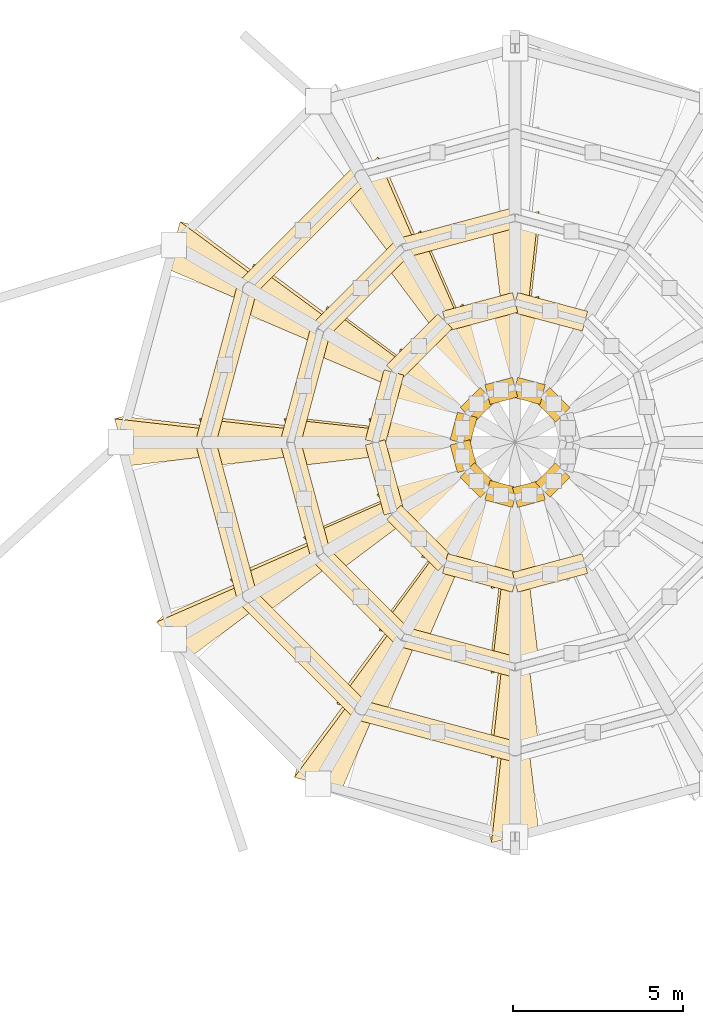
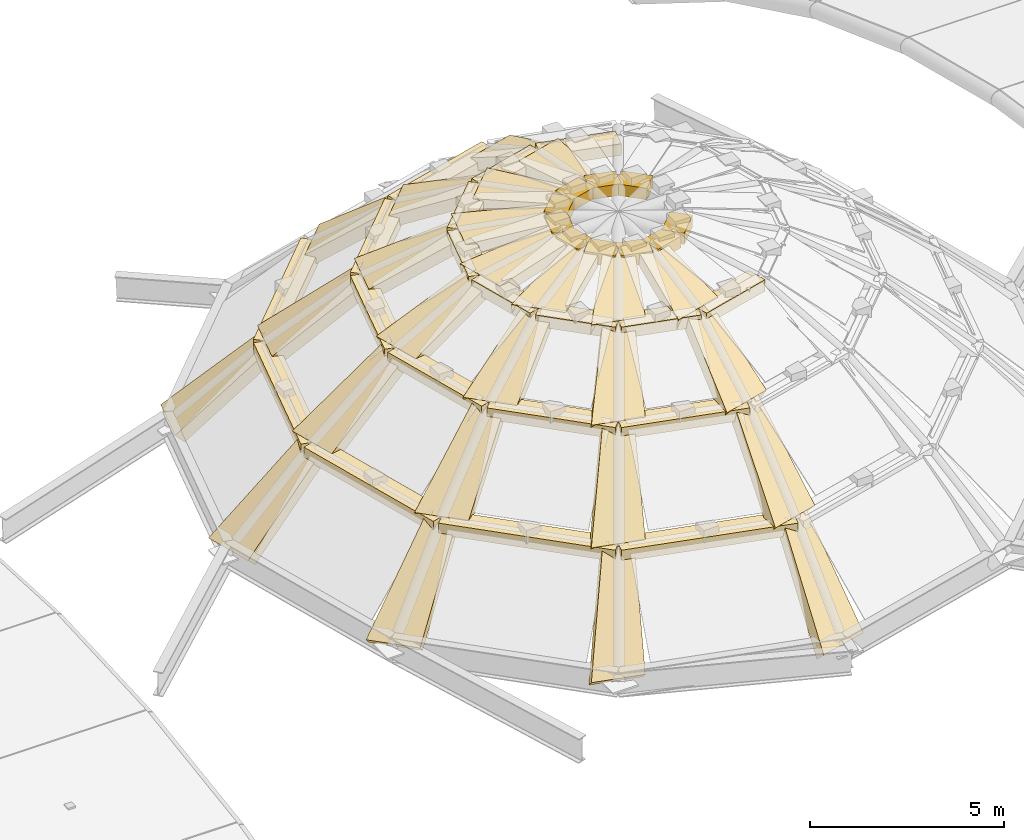
# One storey, part 20 of 21: 54 coverings.
"""IFC4 building model written with IfcOpenShell, lengths in metres."""

from ifc_helpers import new_model, si_unit, direction, frame, origin, place, context, subcontext, project, spatial, polyline, outline, extrude, material, layer, layer_set, type_object, element, save


model = new_model("IFC4")

# Units and contexts
model_context = context("Model", 3, precision=1e-05, world=origin(), true_north=direction((0.0, 1.0)))
body_context = subcontext(model_context, "Body", "Model", "MODEL_VIEW")
ifc_project = project(units=[si_unit("LENGTHUNIT", "METRE"), si_unit("AREAUNIT", "SQUARE_METRE"), si_unit("VOLUMEUNIT", "CUBIC_METRE"), si_unit("PLANEANGLEUNIT", "RADIAN"), si_unit("MASSUNIT", "GRAM", prefix="KILO")], contexts=[model_context])

# Site, building, storey
site_placement = place(None, origin())
site = spatial("IfcSite", under=ifc_project, at=site_placement, CompositionType="ELEMENT")
building_placement = place(site_placement, origin())
building = spatial("IfcBuilding", under=site, at=building_placement, Name="Solmirada Galleria", CompositionType="ELEMENT")
storey_placement = place(building_placement, frame((0.0, 0.0, 37.5)))
storey = spatial("IfcBuildingStorey", under=building, at=storey_placement, Name="RF", CompositionType="ELEMENT", Elevation=37.5)

# Coverings
ifc_material = material(Name="Anodized architectural aluminium", Category="aluminium")
ifc_layer = layer(ifc_material, 0.360107421875)
ifc_layer_set = layer_set([ifc_layer], Name="Anodized architectural aluminium")
covering_type = type_object("IfcCoveringType", Name="COV-ALUM-CAP", PredefinedType="CLADDING", material=ifc_layer_set)
covering_1_placement = place(storey_placement, frame((91.23486328125, 68.09814453125, 2.607421875), z_axis=(0.0, 0.0, 1.0), x_axis=(0.707106781187, -0.707106781187, 0.0)))
element("IfcCovering", 1, at=covering_1_placement, inside=storey, type_object=covering_type, Name="Atrium dome ring aluminium cap batten 5.1", PredefinedType="CLADDING", context=body_context, shape_type="SweptSolid", body=[
    extrude(outline(polyline([(0.0, 0.0), (0.600074016456162, 0.0), (0.600074016456162, -4.713584851932982), (0.0, -4.713584851932982), (0.0, 0.0)])), origin(), (0.0, 0.0, -1.0), 0.360107421875),
])
covering_2_placement = place(storey_placement, frame((86.140380859375, 66.49560546875, 0.1201171875), z_axis=(-0.69383196776, 0.185878060971, 0.695734537711), x_axis=(-0.258813754246, -0.965927243081, -4.1069414e-05)))
element("IfcCovering", 2, at=covering_2_placement, inside=storey, type_object=covering_type, Name="Atrium dome radial aluminium cap batten 6.1", PredefinedType="CLADDING", context=body_context, shape_type="SweptSolid", body=[
    extrude(outline(polyline([(0.0, 0.0), (1.4402006918481844, 0.0), (1.785585319171454, 3.462872738771062), (0.9454763354603316, 3.4627423599438307), (0.0, 0.0)])), origin(), (0.0, 0.0, -1.0), 0.360107421875),
])
covering_3_placement = place(storey_placement, frame((87.82421875, 64.630615234375, 2.607421875), z_axis=(0.0, 0.0, 1.0), x_axis=(0.965937155273, -0.258776761059, 0.0)))
element("IfcCovering", 3, at=covering_3_placement, inside=storey, type_object=covering_type, Name="Atrium dome ring aluminium cap batten 6.1", PredefinedType="CLADDING", context=body_context, shape_type="SweptSolid", body=[
    extrude(outline(polyline([(0.0, 0.0), (0.6000285221314199, 0.0), (0.599818525082267, -4.713591182540906), (-0.00020999704915292128, -4.713591182540906), (0.0, 0.0)])), origin(), (0.0, 0.0, -1.0), 0.360107421875),
])
covering_4_placement = place(storey_placement, frame((84.213623046875, 60.695556640625, 0.1201171875), z_axis=(-0.693846324666, -0.185881907195, 0.69571919215), x_axis=(0.258813752551, -0.965927243535, 4.1069357e-05)))
element("IfcCovering", 4, at=covering_4_placement, inside=storey, type_object=covering_type, Name="Atrium dome radial aluminium cap batten 7.1", PredefinedType="CLADDING", context=body_context, shape_type="SweptSolid", body=[
    extrude(outline(polyline([(0.0, 0.0), (1.4402006918480803, 0.0), (1.7857432908559425, 3.4625968961496447), (0.9456343071445519, 3.4627272721011586), (0.0, 0.0)])), origin(), (0.0, 0.0, -1.0), 0.360107421875),
])
covering_5_placement = place(storey_placement, frame((86.604248046875, 59.92236328125, 2.607421875), z_axis=(0.0, 0.0, 1.0), x_axis=(0.965937155273, 0.258776761059, 0.0)))
element("IfcCovering", 5, at=covering_5_placement, inside=storey, type_object=covering_type, Name="Atrium dome ring aluminium cap batten 7.1", PredefinedType="CLADDING", context=body_context, shape_type="SweptSolid", body=[
    extrude(outline(polyline([(0.0, 0.0), (0.6000285221314199, 0.0), (0.6002385191805728, -4.713591182540906), (0.00020999704915292128, -4.713591182540906), (0.0, 0.0)])), origin(), (0.0, 0.0, -1.0), 0.360107421875),
])
covering_6_placement = place(storey_placement, frame((85.445068359375, 54.708984375, 0.1201171875), z_axis=(-0.507938727928, -0.507938727928, 0.695698567874), x_axis=(0.707106781187, -0.707106781187, 0.0)))
element("IfcCovering", 6, at=covering_6_placement, inside=storey, type_object=covering_type, Name="Atrium dome radial aluminium cap batten 8.1", PredefinedType="CLADDING", context=body_context, shape_type="SweptSolid", body=[
    extrude(outline(polyline([(0.0, 0.0), (1.4397633191151873, 0.0), (1.7853755690994324, 3.4626027012821696), (0.9453409994574059, 3.4626027012821696), (0.0, 0.0)])), origin(), (0.0, 0.0, -1.0), 0.360107421875),
])
covering_7_placement = place(storey_placement, frame((87.90185546875, 55.23486328125, 2.607421875), z_axis=(0.0, 0.0, 1.0), x_axis=(0.707106781187, 0.707106781187, 0.0)))
element("IfcCovering", 7, at=covering_7_placement, inside=storey, type_object=covering_type, Name="Atrium dome ring aluminium cap batten 8.1", PredefinedType="CLADDING", context=body_context, shape_type="SweptSolid", body=[
    extrude(outline(polyline([(0.0, 0.0), (0.600074016456162, 0.0), (0.600074016456162, -4.713584851932982), (0.0, -4.713584851932982), (0.0, 0.0)])), origin(), (0.0, 0.0, -1.0), 0.360107421875),
])
covering_8_placement = place(storey_placement, frame((89.50439453125, 50.140380859375, 0.1201171875), z_axis=(-0.185878060971, -0.69383196776, 0.695734537711), x_axis=(0.965927243081, -0.258813754246, -4.1069414e-05)))
element("IfcCovering", 8, at=covering_8_placement, inside=storey, type_object=covering_type, Name="Atrium dome radial aluminium cap batten 9.1", PredefinedType="CLADDING", context=body_context, shape_type="SweptSolid", body=[
    extrude(outline(polyline([(0.0, 0.0), (1.4402006918481844, 0.0), (1.785585319171454, 3.462872738771062), (0.9454763354603316, 3.4627423599438307), (0.0, 0.0)])), origin(), (0.0, 0.0, -1.0), 0.360107421875),
])
covering_9_placement = place(storey_placement, frame((91.369384765625, 51.82421875, 2.607421875), z_axis=(0.0, 0.0, 1.0), x_axis=(0.258776761059, 0.965937155273, 0.0)))
element("IfcCovering", 9, at=covering_9_placement, inside=storey, type_object=covering_type, Name="Atrium dome ring aluminium cap batten 9.1", PredefinedType="CLADDING", context=body_context, shape_type="SweptSolid", body=[
    extrude(outline(polyline([(0.0, 0.0), (0.6000285221314199, 0.0), (0.599818525082267, -4.713591182540906), (-0.00020999704915292128, -4.713591182540906), (0.0, 0.0)])), origin(), (0.0, 0.0, -1.0), 0.360107421875),
])
covering_10_placement = place(storey_placement, frame((95.304443359375, 48.213623046875, 0.1201171875), z_axis=(0.185881907195, -0.693846324666, 0.69571919215), x_axis=(0.965927243535, 0.258813752551, 4.1069357e-05)))
element("IfcCovering", 10, at=covering_10_placement, inside=storey, type_object=covering_type, Name="Atrium dome radial aluminium cap batten 10.1", PredefinedType="CLADDING", context=body_context, shape_type="SweptSolid", body=[
    extrude(outline(polyline([(0.0, 0.0), (1.4402006918480803, 0.0), (1.7857432908559425, 3.4625968961496447), (0.9456343071445519, 3.4627272721011586), (0.0, 0.0)])), origin(), (0.0, 0.0, -1.0), 0.360107421875),
])
covering_11_placement = place(storey_placement, frame((95.92236328125, 66.90185546875, 4.71630859375), z_axis=(0.0, 0.0, 1.0), x_axis=(0.258776761059, -0.965937155273, 0.0)))
element("IfcCovering", 11, at=covering_11_placement, inside=storey, type_object=covering_type, Name="Atrium dome ring aluminium cap batten 4.2", PredefinedType="CLADDING", context=body_context, shape_type="SweptSolid", body=[
    extrude(outline(polyline([(0.0, 0.0), (0.6000285221314199, 0.0), (0.6002802404486164, -3.422808062153928), (7.907173657795141e-05, -3.4225090597329486), (0.0, 0.0)])), origin(), (0.0, 0.0, -1.0), 0.360107421875),
])
covering_12_placement = place(storey_placement, frame((91.9560546875, 68.39501953125, 2.607421875), z_axis=(-0.465767522202, 0.465767522202, 0.752410280714), x_axis=(-0.707106781187, -0.707106781187, 0.0)))
element("IfcCovering", 12, at=covering_12_placement, inside=storey, type_object=covering_type, Name="Atrium dome radial aluminium cap batten 5.2", PredefinedType="CLADDING", context=body_context, shape_type="SweptSolid", body=[
    extrude(outline(polyline([(0.0, 0.0), (1.4397633191151873, 0.0), (1.7853755690994324, 3.2016146006331314), (0.9453409994574059, 3.201614600633131), (0.0, 0.0)])), origin(), (0.0, 0.0, -1.0), 0.360107421875),
])
covering_13_placement = place(storey_placement, frame((92.48193359375, 65.938232421875, 4.71630859375), z_axis=(0.0, 0.0, 1.0), x_axis=(0.707106781187, -0.707106781187, 0.0)))
element("IfcCovering", 13, at=covering_13_placement, inside=storey, type_object=covering_type, Name="Atrium dome ring aluminium cap batten 5.2", PredefinedType="CLADDING", context=body_context, shape_type="SweptSolid", body=[
    extrude(outline(polyline([(0.0, 0.0), (0.5997287494731607, 0.0), (0.5997287494731609, -3.4226316024913315), (0.0, -3.422631602491331), (0.0, 0.0)])), origin(), (0.0, 0.0, -1.0), 0.360107421875),
])
covering_14_placement = place(storey_placement, frame((88.30029296875, 65.24853515625, 2.607421875), z_axis=(-0.636254475648, 0.170471906401, 0.752409178138), x_axis=(-0.258742338671, -0.965946374933, 5.4158027e-05)))
element("IfcCovering", 14, at=covering_14_placement, inside=storey, type_object=covering_type, Name="Atrium dome radial aluminium cap batten 6.2", PredefinedType="CLADDING", context=body_context, shape_type="SweptSolid", body=[
    extrude(outline(polyline([(0.0, 0.0), (1.4401375129832739, 0.0), (1.7858071455972102, 3.201461660718312), (0.9458708107198134, 3.2016491285329716), (0.0, 0.0)])), origin(), (0.0, 0.0, -1.0), 0.360107421875),
])
covering_15_placement = place(storey_placement, frame((89.98388671875, 63.383544921875, 4.71630859375), z_axis=(0.0, 0.0, 1.0), x_axis=(0.966065950304, -0.258295527765, 0.0)))
element("IfcCovering", 15, at=covering_15_placement, inside=storey, type_object=covering_type, Name="Atrium dome ring aluminium cap batten 6.2", PredefinedType="CLADDING", context=body_context, shape_type="SweptSolid", body=[
    extrude(outline(polyline([(0.0, 0.0), (0.600201243189103, 0.0), (0.5982443836546933, -3.4228075120299715), (-0.0017840640210945446, -3.4225085956534897), (0.0, 0.0)])), origin(), (0.0, 0.0, -1.0), 0.360107421875),
])
covering_16_placement = place(storey_placement, frame((86.707763671875, 60.695556640625, 2.607421875), z_axis=(-0.636262565278, -0.170384655033, 0.752422100523), x_axis=(0.258687382085, -0.96596109561, 1.0830728e-05)))
element("IfcCovering", 16, at=covering_16_placement, inside=storey, type_object=covering_type, Name="Atrium dome radial aluminium cap batten 7.2", PredefinedType="CLADDING", context=body_context, shape_type="SweptSolid", body=[
    extrude(outline(polyline([(0.0, 0.0), (1.4401375165647845, 5.551115123125783e-17), (1.785285650315392, 3.2016508725314816), (0.9451766532781901, 3.20168836673826), (0.0, 0.0)])), origin(), (0.0, 0.0, -1.0), 0.360107421875),
])
covering_17_placement = place(storey_placement, frame((89.09814453125, 59.92236328125, 4.71630859375), z_axis=(0.0, 0.0, 1.0), x_axis=(0.965937155273, 0.258776761059, 0.0)))
element("IfcCovering", 17, at=covering_17_placement, inside=storey, type_object=covering_type, Name="Atrium dome ring aluminium cap batten 7.2", PredefinedType="CLADDING", context=body_context, shape_type="SweptSolid", body=[
    extrude(outline(polyline([(0.0, 0.0), (0.6000285221314199, 0.0), (0.6002802404486164, -3.422808062153928), (7.907173657795141e-05, -3.4225090597329486), (0.0, 0.0)])), origin(), (0.0, 0.0, -1.0), 0.360107421875),
])
covering_18_placement = place(storey_placement, frame((87.60498046875, 55.9560546875, 2.607421875), z_axis=(-0.465767522202, -0.465767522202, 0.752410280714), x_axis=(0.707106781187, -0.707106781187, 0.0)))
element("IfcCovering", 18, at=covering_18_placement, inside=storey, type_object=covering_type, Name="Atrium dome radial aluminium cap batten 8.2", PredefinedType="CLADDING", context=body_context, shape_type="SweptSolid", body=[
    extrude(outline(polyline([(0.0, 0.0), (1.4397633191151873, 0.0), (1.7853755690994324, 3.2016146006331314), (0.9453409994574059, 3.201614600633131), (0.0, 0.0)])), origin(), (0.0, 0.0, -1.0), 0.360107421875),
])
covering_19_placement = place(storey_placement, frame((90.061767578125, 56.48193359375, 4.71630859375), z_axis=(0.0, 0.0, 1.0), x_axis=(0.707106781187, 0.707106781187, 0.0)))
element("IfcCovering", 19, at=covering_19_placement, inside=storey, type_object=covering_type, Name="Atrium dome ring aluminium cap batten 8.2", PredefinedType="CLADDING", context=body_context, shape_type="SweptSolid", body=[
    extrude(outline(polyline([(0.0, 0.0), (0.5997287494731607, 0.0), (0.5997287494731609, -3.4226316024913315), (0.0, -3.422631602491331), (0.0, 0.0)])), origin(), (0.0, 0.0, -1.0), 0.360107421875),
])
covering_20_placement = place(storey_placement, frame((90.75146484375, 52.30029296875, 2.607421875), z_axis=(-0.170471906401, -0.636254475648, 0.752409178138), x_axis=(0.965946374933, -0.258742338671, 5.4158027e-05)))
element("IfcCovering", 20, at=covering_20_placement, inside=storey, type_object=covering_type, Name="Atrium dome radial aluminium cap batten 9.2", PredefinedType="CLADDING", context=body_context, shape_type="SweptSolid", body=[
    extrude(outline(polyline([(0.0, 0.0), (1.4401375129832739, 0.0), (1.7858071455972102, 3.201461660718312), (0.9458708107198134, 3.2016491285329716), (0.0, 0.0)])), origin(), (0.0, 0.0, -1.0), 0.360107421875),
])
covering_21_placement = place(storey_placement, frame((92.616455078125, 53.98388671875, 4.71630859375), z_axis=(0.0, 0.0, 1.0), x_axis=(0.258295527765, 0.966065950304, 0.0)))
element("IfcCovering", 21, at=covering_21_placement, inside=storey, type_object=covering_type, Name="Atrium dome ring aluminium cap batten 9.2", PredefinedType="CLADDING", context=body_context, shape_type="SweptSolid", body=[
    extrude(outline(polyline([(0.0, 0.0), (0.600201243189103, 0.0), (0.5982443836546933, -3.4228075120299715), (-0.0017840640210945446, -3.4225085956534897), (0.0, 0.0)])), origin(), (0.0, 0.0, -1.0), 0.360107421875),
])
covering_22_placement = place(storey_placement, frame((95.304443359375, 50.707763671875, 2.607421875), z_axis=(0.170384655033, -0.636262565278, 0.752422100523), x_axis=(0.96596109561, 0.258687382085, 1.0830728e-05)))
element("IfcCovering", 22, at=covering_22_placement, inside=storey, type_object=covering_type, Name="Atrium dome radial aluminium cap batten 10.2", PredefinedType="CLADDING", context=body_context, shape_type="SweptSolid", body=[
    extrude(outline(polyline([(0.0, 0.0), (1.4401375165647845, 5.551115123125783e-17), (1.785285650315392, 3.2016508725314816), (0.9451766532781901, 3.20168836673826), (0.0, 0.0)])), origin(), (0.0, 0.0, -1.0), 0.360107421875),
])
covering_23_placement = place(storey_placement, frame((98.13671875, 63.856201171875, 6.125244140625), z_axis=(0.0, 0.0, 1.0), x_axis=(-0.258776761059, -0.965937155273, 0.0)))
element("IfcCovering", 23, at=covering_23_placement, inside=storey, type_object=covering_type, Name="Atrium dome ring aluminium cap batten 3.3", PredefinedType="CLADDING", context=body_context, shape_type="SweptSolid", body=[
    extrude(outline(polyline([(0.0, 0.0), (0.6000285221314199, 0.0), (0.6001435536275973, -2.1316627614257904), (0.00011503149617742014, -2.1316627614257904), (0.0, 0.0)])), origin(), (0.0, 0.0, -1.0), 0.360107421875),
])
covering_24_placement = place(storey_placement, frame((96.695556640625, 66.79833984375, 4.71630859375), z_axis=(-0.130641613668, 0.487649416016, 0.863209601336), x_axis=(-0.965953264061, -0.258716621784, -3.5545965e-05)))
element("IfcCovering", 24, at=covering_24_placement, inside=storey, type_object=covering_type, Name="Atrium dome radial aluminium cap batten 4.3", PredefinedType="CLADDING", context=body_context, shape_type="SweptSolid", body=[
    extrude(outline(polyline([(0.0, 0.0), (1.4401375154929656, 1.1102230246251565e-16), (1.7853488099792796, 2.7909497952410787), (0.945176651837998, 2.79078923963639), (0.0, 0.0)])), origin(), (0.0, 0.0, -1.0), 0.360107421875),
])
covering_25_placement = place(storey_placement, frame((95.92236328125, 64.40771484375, 6.125244140625), z_axis=(0.0, 0.0, 1.0), x_axis=(0.258776761059, -0.965937155273, 0.0)))
element("IfcCovering", 25, at=covering_25_placement, inside=storey, type_object=covering_type, Name="Atrium dome ring aluminium cap batten 4.3", PredefinedType="CLADDING", context=body_context, shape_type="SweptSolid", body=[
    extrude(outline(polyline([(0.0, 0.0), (0.6000285221314199, 0.0), (0.5999134906352425, -2.1316627614257904), (-0.00011503149617742014, -2.1316627614257904), (0.0, 0.0)])), origin(), (0.0, 0.0, -1.0), 0.360107421875),
])
covering_26_placement = place(storey_placement, frame((93.203125, 66.2353515625, 4.71630859375), z_axis=(-0.356976040797, 0.356976040797, 0.863212727312), x_axis=(-0.707106781187, -0.707106781187, 0.0)))
element("IfcCovering", 26, at=covering_26_placement, inside=storey, type_object=covering_type, Name="Atrium dome radial aluminium cap batten 5.3", PredefinedType="CLADDING", context=body_context, shape_type="SweptSolid", body=[
    extrude(outline(polyline([(0.0, 0.0), (1.4401085860981884, 0.0), (1.785548202590933, 2.7908536304741203), (0.9455136329489066, 2.7908536304741203), (0.0, 0.0)])), origin(), (0.0, 0.0, -1.0), 0.360107421875),
])
covering_27_placement = place(storey_placement, frame((93.72900390625, 63.7783203125, 6.125244140625), z_axis=(0.0, 0.0, 1.0), x_axis=(0.707106781187, -0.707106781187, 0.0)))
element("IfcCovering", 27, at=covering_27_placement, inside=storey, type_object=covering_type, Name="Atrium dome ring aluminium cap batten 5.3", PredefinedType="CLADDING", context=body_context, shape_type="SweptSolid", body=[
    extrude(outline(polyline([(0.0, 0.0), (0.5997287494731607, 0.0), (0.5997287494731607, -2.13167835304968), (0.0, -2.13167835304968), (0.0, 0.0)])), origin(), (0.0, 0.0, -1.0), 0.360107421875),
])
covering_28_placement = place(storey_placement, frame((90.460205078125, 64.00146484375, 4.71630859375), z_axis=(-0.487615442616, 0.130715536613, 0.863217602121), x_axis=(-0.258905174166, -0.965902743855, 1.4288844e-05)))
element("IfcCovering", 28, at=covering_28_placement, inside=storey, type_object=covering_type, Name="Atrium dome radial aluminium cap batten 6.3", PredefinedType="CLADDING", context=body_context, shape_type="SweptSolid", body=[
    extrude(outline(polyline([(0.0, 0.0), (1.4399648761453387, 5.551115123125783e-17), (1.7853069655835179, 2.7908491803897415), (0.9453706062058715, 2.790913711069329), (0.0, 0.0)])), origin(), (0.0, 0.0, -1.0), 0.360107421875),
])
covering_29_placement = place(storey_placement, frame((92.143798828125, 62.13671875, 6.125244140625), z_axis=(0.0, 0.0, 1.0), x_axis=(0.965937155273, -0.258776761059, 0.0)))
element("IfcCovering", 29, at=covering_29_placement, inside=storey, type_object=covering_type, Name="Atrium dome ring aluminium cap batten 6.3", PredefinedType="CLADDING", context=body_context, shape_type="SweptSolid", body=[
    extrude(outline(polyline([(0.0, 0.0), (0.6000285221314199, 0.0), (0.6001435536275973, -2.1316627614257904), (0.00011503149617742014, -2.1316627614257904), (0.0, 0.0)])), origin(), (0.0, 0.0, -1.0), 0.360107421875),
])
covering_30_placement = place(storey_placement, frame((89.20166015625, 60.695556640625, 4.71630859375), z_axis=(-0.487649416016, -0.130641613668, 0.863209601336), x_axis=(0.258716621784, -0.965953264061, -3.5545965e-05)))
element("IfcCovering", 30, at=covering_30_placement, inside=storey, type_object=covering_type, Name="Atrium dome radial aluminium cap batten 7.3", PredefinedType="CLADDING", context=body_context, shape_type="SweptSolid", body=[
    extrude(outline(polyline([(0.0, 0.0), (1.4401375154929656, 1.1102230246251565e-16), (1.7853488099792796, 2.7909497952410787), (0.945176651837998, 2.79078923963639), (0.0, 0.0)])), origin(), (0.0, 0.0, -1.0), 0.360107421875),
])
covering_31_placement = place(storey_placement, frame((91.59228515625, 59.92236328125, 6.125244140625), z_axis=(0.0, 0.0, 1.0), x_axis=(0.965937155273, 0.258776761059, 0.0)))
element("IfcCovering", 31, at=covering_31_placement, inside=storey, type_object=covering_type, Name="Atrium dome ring aluminium cap batten 7.3", PredefinedType="CLADDING", context=body_context, shape_type="SweptSolid", body=[
    extrude(outline(polyline([(0.0, 0.0), (0.6000285221314199, 0.0), (0.5999134906352425, -2.1316627614257904), (-0.00011503149617742014, -2.1316627614257904), (0.0, 0.0)])), origin(), (0.0, 0.0, -1.0), 0.360107421875),
])
covering_32_placement = place(storey_placement, frame((89.7646484375, 57.203125, 4.71630859375), z_axis=(-0.356976040797, -0.356976040797, 0.863212727312), x_axis=(0.707106781187, -0.707106781187, 0.0)))
element("IfcCovering", 32, at=covering_32_placement, inside=storey, type_object=covering_type, Name="Atrium dome radial aluminium cap batten 8.3", PredefinedType="CLADDING", context=body_context, shape_type="SweptSolid", body=[
    extrude(outline(polyline([(0.0, 0.0), (1.4401085860981884, 0.0), (1.785548202590933, 2.7908536304741203), (0.9455136329489066, 2.7908536304741203), (0.0, 0.0)])), origin(), (0.0, 0.0, -1.0), 0.360107421875),
])
covering_33_placement = place(storey_placement, frame((92.2216796875, 57.72900390625, 6.125244140625), z_axis=(0.0, 0.0, 1.0), x_axis=(0.707106781187, 0.707106781187, 0.0)))
element("IfcCovering", 33, at=covering_33_placement, inside=storey, type_object=covering_type, Name="Atrium dome ring aluminium cap batten 8.3", PredefinedType="CLADDING", context=body_context, shape_type="SweptSolid", body=[
    extrude(outline(polyline([(0.0, 0.0), (0.5997287494731607, 0.0), (0.5997287494731607, -2.13167835304968), (0.0, -2.13167835304968), (0.0, 0.0)])), origin(), (0.0, 0.0, -1.0), 0.360107421875),
])
covering_34_placement = place(storey_placement, frame((91.99853515625, 54.460205078125, 4.71630859375), z_axis=(-0.130715536613, -0.487615442616, 0.863217602121), x_axis=(0.965902743855, -0.258905174166, 1.4288844e-05)))
element("IfcCovering", 34, at=covering_34_placement, inside=storey, type_object=covering_type, Name="Atrium dome radial aluminium cap batten 9.3", PredefinedType="CLADDING", context=body_context, shape_type="SweptSolid", body=[
    extrude(outline(polyline([(0.0, 0.0), (1.4399648761453387, 5.551115123125783e-17), (1.7853069655835179, 2.7908491803897415), (0.9453706062058715, 2.790913711069329), (0.0, 0.0)])), origin(), (0.0, 0.0, -1.0), 0.360107421875),
])
covering_35_placement = place(storey_placement, frame((93.86328125, 56.143798828125, 6.125244140625), z_axis=(0.0, 0.0, 1.0), x_axis=(0.258776761059, 0.965937155273, 0.0)))
element("IfcCovering", 35, at=covering_35_placement, inside=storey, type_object=covering_type, Name="Atrium dome ring aluminium cap batten 9.3", PredefinedType="CLADDING", context=body_context, shape_type="SweptSolid", body=[
    extrude(outline(polyline([(0.0, 0.0), (0.6000285221314199, 0.0), (0.6001435536275973, -2.1316627614257904), (0.00011503149617742014, -2.1316627614257904), (0.0, 0.0)])), origin(), (0.0, 0.0, -1.0), 0.360107421875),
])
covering_36_placement = place(storey_placement, frame((95.304443359375, 53.20166015625, 4.71630859375), z_axis=(0.130641613668, -0.487649416016, 0.863209601336), x_axis=(0.965953264061, 0.258716621784, -3.5545965e-05)))
element("IfcCovering", 36, at=covering_36_placement, inside=storey, type_object=covering_type, Name="Atrium dome radial aluminium cap batten 10.3", PredefinedType="CLADDING", context=body_context, shape_type="SweptSolid", body=[
    extrude(outline(polyline([(0.0, 0.0), (1.4401375154929656, 1.1102230246251565e-16), (1.7853488099792796, 2.7909497952410787), (0.945176651837998, 2.79078923963639), (0.0, 0.0)])), origin(), (0.0, 0.0, -1.0), 0.360107421875),
])
covering_37_placement = place(storey_placement, frame((96.07763671875, 55.59228515625, 6.125244140625), z_axis=(0.0, 0.0, 1.0), x_axis=(-0.258776761059, 0.965937155273, 0.0)))
element("IfcCovering", 37, at=covering_37_placement, inside=storey, type_object=covering_type, Name="Atrium dome ring aluminium cap batten 10.3", PredefinedType="CLADDING", context=body_context, shape_type="SweptSolid", body=[
    extrude(outline(polyline([(0.0, 0.0), (0.6000285221314199, 0.0), (0.5999134906352425, -2.1316627614257904), (-0.00011503149617742014, -2.1316627614257904), (0.0, 0.0)])), origin(), (0.0, 0.0, -1.0), 0.360107421875),
])
covering_38_placement = place(storey_placement, frame((97.618408203125, 61.024169921875, 6.6201171875), z_axis=(0.0, 0.0, 1.0), x_axis=(-0.706903267951, -0.707310235866, 0.0)))
element("IfcCovering", 38, at=covering_38_placement, inside=storey, type_object=covering_type, Name="Atrium dome ring aluminium cap batten 2.4", PredefinedType="CLADDING", context=body_context, shape_type="SweptSolid", body=[
    extrude(outline(polyline([(0.0, 0.0), (0.5999014078040121, 0.0), (0.5996594725324158, -0.8407250687971993), (-0.00024183591419524308, -0.8403798018284941), (0.0, 0.0)])), origin(), (0.0, 0.0, -1.0), 0.360107421875),
])
covering_39_placement = place(storey_placement, frame((96.8896484375, 61.6962890625, 6.6201171875), z_axis=(0.0, 0.0, 1.0), x_axis=(-0.258776761059, -0.965937155273, 0.0)))
element("IfcCovering", 39, at=covering_39_placement, inside=storey, type_object=covering_type, Name="Atrium dome ring aluminium cap batten 3.4", PredefinedType="CLADDING", context=body_context, shape_type="SweptSolid", body=[
    extrude(outline(polyline([(0.0, 0.0), (0.6000285221314199, 0.0), (0.6000386544393733, -0.8406438165380136), (1.0132307953464315e-05, -0.8406438165380136), (0.0, 0.0)])), origin(), (0.0, 0.0, -1.0), 0.360107421875),
])
covering_40_placement = place(storey_placement, frame((96.695556640625, 64.304443359375, 6.125244140625), z_axis=(-0.052070633957, 0.194365436309, 0.979546183826), x_axis=(-0.965917130152, -0.25885149684, 1.6198119e-05)))
element("IfcCovering", 40, at=covering_40_placement, inside=storey, type_object=covering_type, Name="Atrium dome radial aluminium cap batten 4.4", PredefinedType="CLADDING", context=body_context, shape_type="SweptSolid", body=[
    extrude(outline(polyline([(0.0, 0.0), (1.4402006941605163, 5.551115123125783e-17), (1.7857432879886919, 2.4592258943678544), (0.9456343102510807, 2.459409458752744), (0.0, 0.0)])), origin(), (0.0, 0.0, -1.0), 0.360107421875),
])
covering_41_placement = place(storey_placement, frame((95.92236328125, 61.913818359375, 6.6201171875), z_axis=(0.0, 0.0, 1.0), x_axis=(0.258776761059, -0.965937155273, 0.0)))
element("IfcCovering", 41, at=covering_41_placement, inside=storey, type_object=covering_type, Name="Atrium dome ring aluminium cap batten 4.4", PredefinedType="CLADDING", context=body_context, shape_type="SweptSolid", body=[
    extrude(outline(polyline([(0.0, 0.0), (0.6000285221314199, 0.0), (0.6000183898234664, -0.8406438165380135), (-1.0132307953464315e-05, -0.8406438165380136), (0.0, 0.0)])), origin(), (0.0, 0.0, -1.0), 0.360107421875),
])
covering_42_placement = place(storey_placement, frame((94.4501953125, 64.075439453125, 6.125244140625), z_axis=(-0.142281709558, 0.142281709558, 0.979546747353), x_axis=(-0.707106781187, -0.707106781187, 0.0)))
element("IfcCovering", 42, at=covering_42_placement, inside=storey, type_object=covering_type, Name="Atrium dome radial aluminium cap batten 5.4", PredefinedType="CLADDING", context=body_context, shape_type="SweptSolid", body=[
    extrude(outline(polyline([(0.0, 0.0), (1.4401085860981884, 0.0), (1.785548202590933, 2.4594031682515918), (0.9455136329489066, 2.4594031682515913), (0.0, 0.0)])), origin(), (0.0, 0.0, -1.0), 0.360107421875),
])
covering_43_placement = place(storey_placement, frame((94.975830078125, 61.618408203125, 6.6201171875), z_axis=(0.0, 0.0, 1.0), x_axis=(0.707310235866, -0.706903267951, 0.0)))
element("IfcCovering", 43, at=covering_43_placement, inside=storey, type_object=covering_type, Name="Atrium dome ring aluminium cap batten 5.4", PredefinedType="CLADDING", context=body_context, shape_type="SweptSolid", body=[
    extrude(outline(polyline([(0.0, 0.0), (0.5999014078040121, 0.0), (0.5996594725324158, -0.8407250687971993), (-0.00024183591419524308, -0.8403798018284941), (0.0, 0.0)])), origin(), (0.0, 0.0, -1.0), 0.360107421875),
])
covering_44_placement = place(storey_placement, frame((92.6201171875, 62.75439453125, 6.125244140625), z_axis=(-0.194355655763, 0.052095330411, 0.979546811348), x_axis=(-0.258897300707, -0.965904854365, 9.98298e-07)))
element("IfcCovering", 44, at=covering_44_placement, inside=storey, type_object=covering_type, Name="Atrium dome radial aluminium cap batten 6.4", PredefinedType="CLADDING", context=body_context, shape_type="SweptSolid", body=[
    extrude(outline(polyline([(0.0, 0.0), (1.4399648763418673, -1.1102230246251565e-16), (1.7853069653398566, 2.4593981186110363), (0.9451347898421062, 2.4594094310852865), (0.0, 0.0)])), origin(), (0.0, 0.0, -1.0), 0.360107421875),
])
covering_45_placement = place(storey_placement, frame((94.3037109375, 60.8896484375, 6.6201171875), z_axis=(0.0, 0.0, 1.0), x_axis=(0.965937155273, -0.258776761059, 0.0)))
element("IfcCovering", 45, at=covering_45_placement, inside=storey, type_object=covering_type, Name="Atrium dome ring aluminium cap batten 6.4", PredefinedType="CLADDING", context=body_context, shape_type="SweptSolid", body=[
    extrude(outline(polyline([(0.0, 0.0), (0.6000285221314199, 0.0), (0.6000386544393733, -0.8406438165380136), (1.0132307953464315e-05, -0.8406438165380136), (0.0, 0.0)])), origin(), (0.0, 0.0, -1.0), 0.360107421875),
])
covering_46_placement = place(storey_placement, frame((91.695556640625, 60.695556640625, 6.125244140625), z_axis=(-0.194365436309, -0.052070633957, 0.979546183826), x_axis=(0.25885149684, -0.965917130152, 1.6198119e-05)))
element("IfcCovering", 46, at=covering_46_placement, inside=storey, type_object=covering_type, Name="Atrium dome radial aluminium cap batten 7.4", PredefinedType="CLADDING", context=body_context, shape_type="SweptSolid", body=[
    extrude(outline(polyline([(0.0, 0.0), (1.4402006941605163, 5.551115123125783e-17), (1.7857432879886919, 2.4592258943678544), (0.9456343102510807, 2.459409458752744), (0.0, 0.0)])), origin(), (0.0, 0.0, -1.0), 0.360107421875),
])
covering_47_placement = place(storey_placement, frame((94.086181640625, 59.92236328125, 6.6201171875), z_axis=(0.0, 0.0, 1.0), x_axis=(0.965937155273, 0.258776761059, 0.0)))
element("IfcCovering", 47, at=covering_47_placement, inside=storey, type_object=covering_type, Name="Atrium dome ring aluminium cap batten 7.4", PredefinedType="CLADDING", context=body_context, shape_type="SweptSolid", body=[
    extrude(outline(polyline([(0.0, 0.0), (0.6000285221314199, 0.0), (0.6000183898234664, -0.8406438165380135), (-1.0132307953464315e-05, -0.8406438165380136), (0.0, 0.0)])), origin(), (0.0, 0.0, -1.0), 0.360107421875),
])
covering_48_placement = place(storey_placement, frame((91.924560546875, 58.4501953125, 6.125244140625), z_axis=(-0.142281709558, -0.142281709558, 0.979546747353), x_axis=(0.707106781187, -0.707106781187, 0.0)))
element("IfcCovering", 48, at=covering_48_placement, inside=storey, type_object=covering_type, Name="Atrium dome radial aluminium cap batten 8.4", PredefinedType="CLADDING", context=body_context, shape_type="SweptSolid", body=[
    extrude(outline(polyline([(0.0, 0.0), (1.4401085860981884, 0.0), (1.785548202590933, 2.4594031682515918), (0.9455136329489066, 2.4594031682515913), (0.0, 0.0)])), origin(), (0.0, 0.0, -1.0), 0.360107421875),
])
covering_49_placement = place(storey_placement, frame((94.381591796875, 58.975830078125, 6.6201171875), z_axis=(0.0, 0.0, 1.0), x_axis=(0.706903267951, 0.707310235866, 0.0)))
element("IfcCovering", 49, at=covering_49_placement, inside=storey, type_object=covering_type, Name="Atrium dome ring aluminium cap batten 8.4", PredefinedType="CLADDING", context=body_context, shape_type="SweptSolid", body=[
    extrude(outline(polyline([(0.0, 0.0), (0.5999014078040121, 0.0), (0.5996594725324158, -0.8407250687971993), (-0.00024183591419524308, -0.8403798018284941), (0.0, 0.0)])), origin(), (0.0, 0.0, -1.0), 0.360107421875),
])
covering_50_placement = place(storey_placement, frame((93.24560546875, 56.6201171875, 6.125244140625), z_axis=(-0.052095330411, -0.194355655763, 0.979546811348), x_axis=(0.965904854365, -0.258897300707, 9.98298e-07)))
element("IfcCovering", 50, at=covering_50_placement, inside=storey, type_object=covering_type, Name="Atrium dome radial aluminium cap batten 9.4", PredefinedType="CLADDING", context=body_context, shape_type="SweptSolid", body=[
    extrude(outline(polyline([(0.0, 0.0), (1.4399648763418673, -1.1102230246251565e-16), (1.7853069653398566, 2.4593981186110363), (0.9451347898421062, 2.4594094310852865), (0.0, 0.0)])), origin(), (0.0, 0.0, -1.0), 0.360107421875),
])
covering_51_placement = place(storey_placement, frame((95.1103515625, 58.3037109375, 6.6201171875), z_axis=(0.0, 0.0, 1.0), x_axis=(0.258776761059, 0.965937155273, 0.0)))
element("IfcCovering", 51, at=covering_51_placement, inside=storey, type_object=covering_type, Name="Atrium dome ring aluminium cap batten 9.4", PredefinedType="CLADDING", context=body_context, shape_type="SweptSolid", body=[
    extrude(outline(polyline([(0.0, 0.0), (0.6000285221314199, 0.0), (0.6000386544393733, -0.8406438165380136), (1.0132307953464315e-05, -0.8406438165380136), (0.0, 0.0)])), origin(), (0.0, 0.0, -1.0), 0.360107421875),
])
covering_52_placement = place(storey_placement, frame((95.304443359375, 55.695556640625, 6.125244140625), z_axis=(0.052070633957, -0.194365436309, 0.979546183826), x_axis=(0.965917130152, 0.25885149684, 1.6198119e-05)))
element("IfcCovering", 52, at=covering_52_placement, inside=storey, type_object=covering_type, Name="Atrium dome radial aluminium cap batten 10.4", PredefinedType="CLADDING", context=body_context, shape_type="SweptSolid", body=[
    extrude(outline(polyline([(0.0, 0.0), (1.4402006941605163, 5.551115123125783e-17), (1.7857432879886919, 2.4592258943678544), (0.9456343102510807, 2.459409458752744), (0.0, 0.0)])), origin(), (0.0, 0.0, -1.0), 0.360107421875),
])
covering_53_placement = place(storey_placement, frame((96.07763671875, 58.086181640625, 6.6201171875), z_axis=(0.0, 0.0, 1.0), x_axis=(-0.258776761059, 0.965937155273, 0.0)))
element("IfcCovering", 53, at=covering_53_placement, inside=storey, type_object=covering_type, Name="Atrium dome ring aluminium cap batten 10.4", PredefinedType="CLADDING", context=body_context, shape_type="SweptSolid", body=[
    extrude(outline(polyline([(0.0, 0.0), (0.6000285221314199, 0.0), (0.6000183898234664, -0.8406438165380135), (-1.0132307953464315e-05, -0.8406438165380136), (0.0, 0.0)])), origin(), (0.0, 0.0, -1.0), 0.360107421875),
])
covering_54_placement = place(storey_placement, frame((97.024169921875, 58.381591796875, 6.6201171875), z_axis=(0.0, 0.0, 1.0), x_axis=(-0.707310235866, 0.706903267951, 0.0)))
element("IfcCovering", 54, at=covering_54_placement, inside=storey, type_object=covering_type, Name="Atrium dome ring aluminium cap batten 11.4", PredefinedType="CLADDING", context=body_context, shape_type="SweptSolid", body=[
    extrude(outline(polyline([(0.0, 0.0), (0.5999014078040121, 0.0), (0.5996594725324158, -0.8407250687971993), (-0.00024183591419524308, -0.8403798018284941), (0.0, 0.0)])), origin(), (0.0, 0.0, -1.0), 0.360107421875),
])

save(model, "model.ifc")
